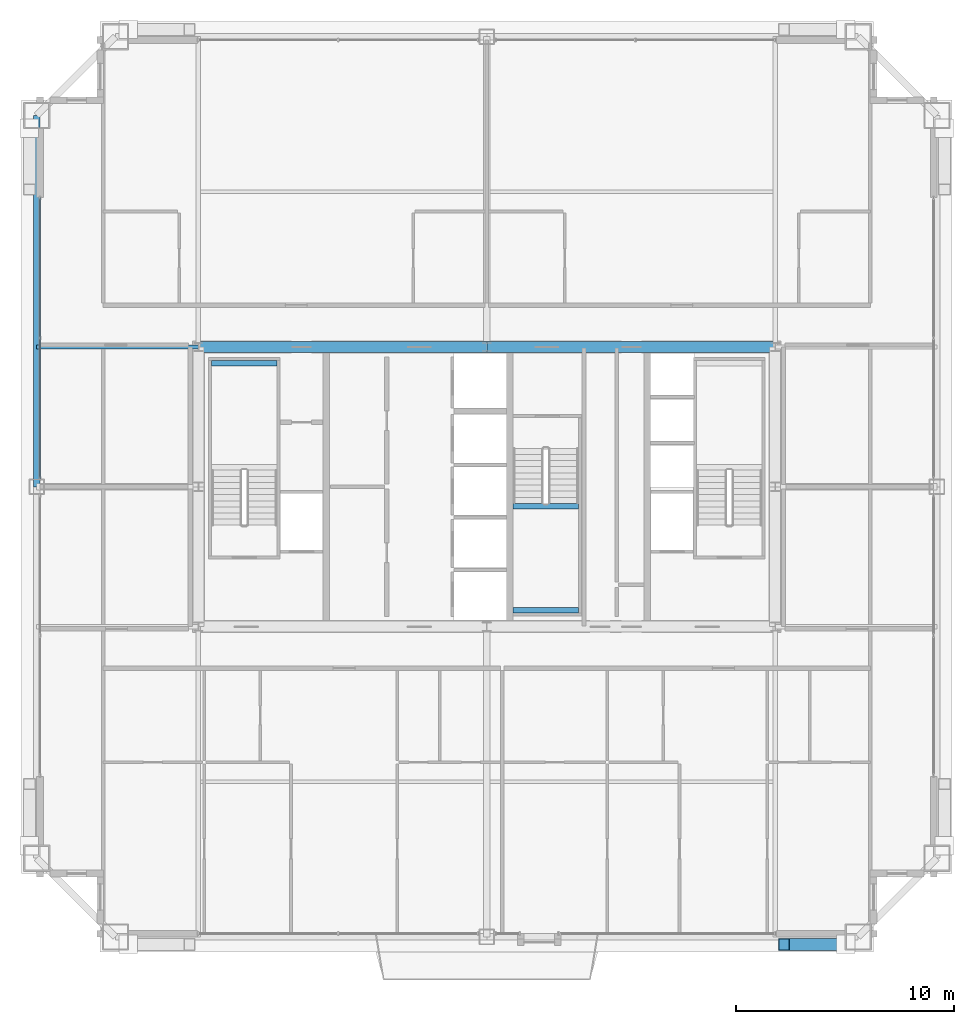
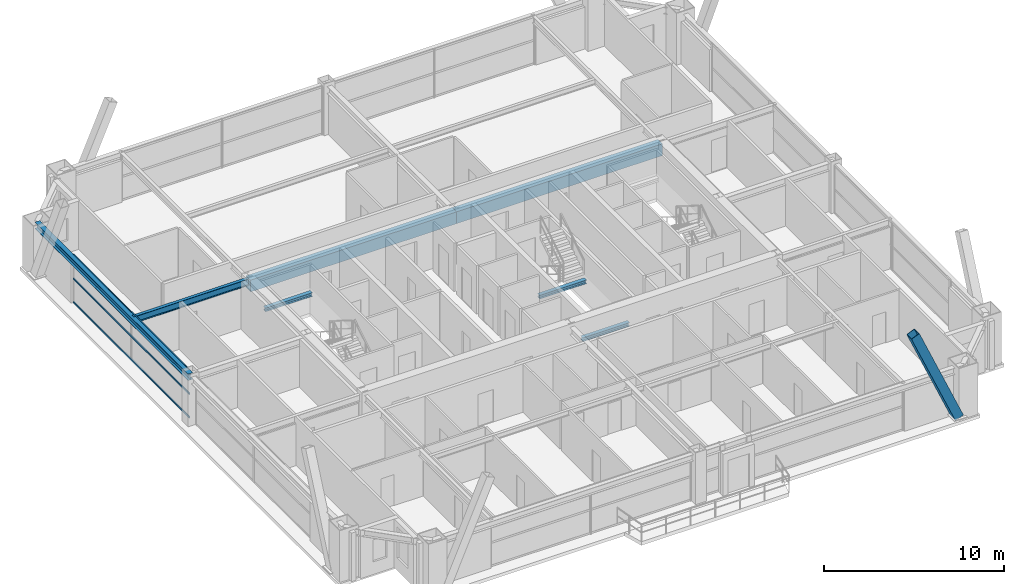
# One storey, part 13 of 35: 7 beams, 4 members, 1 element without a shape of its own.
"""IFC4 building model written with IfcOpenShell, lengths in metres."""

from ifc_helpers import new_model, si_unit, direction, frame, origin, origin_2d, place, context, subcontext, project, spatial, rectangle, hollow_rectangle, i_section, extrude, source, transform, mapped, material, layer, layer_set, material_profile, profile_set, type_object, element, aggregate, save


model = new_model("IFC4")

# Units and contexts
model_context = context("Model", 3, precision=1e-05, world=origin(), true_north=direction((0.0, 1.0)))
body_context = subcontext(model_context, "Body", "Model", "MODEL_VIEW")
ifc_project = project(units=[si_unit("LENGTHUNIT", "METRE"), si_unit("AREAUNIT", "SQUARE_METRE"), si_unit("VOLUMEUNIT", "CUBIC_METRE"), si_unit("PLANEANGLEUNIT", "RADIAN"), si_unit("MASSUNIT", "GRAM", prefix="KILO"), si_unit("THERMODYNAMICTEMPERATUREUNIT", "KELVIN"), si_unit("POWERUNIT", "WATT")], contexts=[model_context])

# Site, building, storey
site_placement = place(None, origin())
site = spatial("IfcSite", under=ifc_project, at=site_placement, CompositionType="ELEMENT")
building_placement = place(site_placement, origin())
building = spatial("IfcBuilding", under=site, at=building_placement, Name="Yuzanri Waterfront Tower", CompositionType="ELEMENT")
storey_placement = place(building_placement, frame((0.0, 0.0, 227.60009765625)))
storey = spatial("IfcBuildingStorey", under=building, at=storey_placement, Name="L60", CompositionType="ELEMENT", Elevation=227.60009765625)

# Beams
ifc_material_1 = material(Name="Concrete C50", Category="concrete")
ifc_material_profile_1 = material_profile(ifc_material_1, rectangle(XDim=0.5, YDim=0.800048828125, at=origin_2d()), Name="RC 500x800")
ifc_profile_set_1 = profile_set([ifc_material_profile_1], Name="Concrete C50")
beam_type_1 = type_object("IfcBeamType", Name="Core Coupling Lintel Concrete C50 500x800", PredefinedType="LINTEL", material=ifc_profile_set_1)
shared_shape_1 = source(origin(), body_context, "Body", "SweptSolid", [
    extrude(rectangle(XDim=0.5, YDim=0.800048828125, at=origin_2d()), origin(), (0.0, 0.0, 1.0), 13.199951171875),
])
for number, where, z_axis, x_axis, name in (
    (1, (23.800048828125, 32.199951171875, 2.8798828125), (1.0, 0.0, 0.0), (0.0, 1.0, 0.0), "L60 Core Tie Beam CN1"),
    (2, (37.0, 32.199951171875, 2.8798828125), (1.0, 0.0, 0.0), (0.0, 1.0, 0.0), "L60 Core Tie Beam CN2"),
):
    element("IfcBeam", number, at=place(storey_placement, frame(where, z_axis=z_axis, x_axis=x_axis)), inside=storey, type_object=beam_type_1, Name=name, PredefinedType="LINTEL", context=body_context, shape_type="MappedRepresentation", body=[
        mapped(shared_shape_1, transform((0.0, 0.0, 0.0), scale=1.0)),
    ])
ifc_material_2 = material(Name="Steel Q355B", Category="steel")
ifc_material_profile_2 = material_profile(ifc_material_2, i_section(OverallWidth=0.300048828125, OverallDepth=0.43994140625, WebThickness=0.010986328125, FlangeThickness=0.01806640625, at=origin_2d()), Name="HM 440x300x11x18")
ifc_profile_set_2 = profile_set([ifc_material_profile_2], Name="Steel Q355B")
beam_type_2 = type_object("IfcBeamType", Name="Perimeter Spandrel Q355B HM 440x300", PredefinedType="SPANDREL", material=ifc_profile_set_2)
shared_shape_2 = source(origin(), body_context, "Body", "SweptSolid", [
    extrude(i_section(OverallWidth=0.300048828125, OverallDepth=0.43994140625, WebThickness=0.010986328125, FlangeThickness=0.01806640625, at=origin_2d()), origin(), (0.0, 0.0, 1.0), 17.0),
])
beam_1_placement = place(storey_placement, frame((16.39990234375, 42.800048828125, 3.059814453125), z_axis=(0.0, -1.0, 0.0), x_axis=(1.0, 0.0, 0.0)))
element("IfcBeam", 3, at=beam_1_placement, inside=storey, type_object=beam_type_2, Name="L60 Perimeter Spandrel W3-W2", PredefinedType="SPANDREL", context=body_context, shape_type="MappedRepresentation", body=[
    mapped(shared_shape_2, transform((0.0, 0.0, 0.0), scale=1.0)),
])
ifc_material_3 = material(Name="Steel Q355B", Category="steel")
ifc_material_profile_3 = material_profile(ifc_material_3, i_section(OverallWidth=0.199951171875, OverallDepth=0.449951171875, WebThickness=0.009033203125, FlangeThickness=0.013916015625, at=origin_2d()), Name="HN 450x200x9x14")
ifc_profile_set_3 = profile_set([ifc_material_profile_3], Name="Steel Q355B")
beam_type_3 = type_object("IfcBeamType", Name="Secondary Floor Beam Q355B HN 450x200", PredefinedType="BEAM", material=ifc_profile_set_3)
shared_shape_3 = source(origin(), body_context, "Body", "SweptSolid", [
    extrude(i_section(OverallWidth=0.199951171875, OverallDepth=0.449951171875, WebThickness=0.009033203125, FlangeThickness=0.013916015625, at=origin_2d()), origin(), (0.0, 0.0, 1.0), 7.400146484375),
])
beam_2_placement = place(storey_placement, frame((23.800048828125, 32.199951171875, 3.054931640625), z_axis=(-1.0, 0.0, 0.0), x_axis=(0.0, -1.0, 0.0)))
element("IfcBeam", 4, at=beam_2_placement, inside=storey, type_object=beam_type_3, Name="L60 West-North Core Line Beam", PredefinedType="BEAM", context=body_context, shape_type="MappedRepresentation", body=[
    mapped(shared_shape_3, transform((0.0, 0.0, 0.0), scale=1.0)),
])

# Member
ifc_material_4 = material(Name="Steel Q390GJC", Category="steel")
ifc_material_profile_4 = material_profile(ifc_material_4, hollow_rectangle(XDim=0.550048828125, YDim=0.550048828125, WallThickness=0.02490234375, at=origin_2d()), Name="RHS 550x550x25")
ifc_profile_set_4 = profile_set([ifc_material_profile_4], Name="Steel Q390GJC")
member_type_1 = type_object("IfcMemberType", Name="Mega Brace Mid Q390GJC RHS 550x550x25", PredefinedType="BRACE", material=ifc_profile_set_4)
shared_shape_4 = source(origin(), body_context, "Body", "SweptSolid", [
    extrude(hollow_rectangle(XDim=0.550048828125, YDim=0.550048828125, WallThickness=0.02490234375, at=origin_2d()), origin(), (0.0, 0.0, 1.0), 7.085205078125),
])
member_1_placement = place(storey_placement, frame((53.419921875, 4.860107421875, 0.179931640625), z_axis=(-0.397982599681, 0.0, 0.917392963975), x_axis=(0.0, -1.0, 0.0)))
element("IfcMember", 5, at=member_1_placement, inside=storey, type_object=member_type_1, Name="L60-L61 Perimeter Mega-Brace S-R", PredefinedType="BRACE", context=body_context, shape_type="MappedRepresentation", body=[
    mapped(shared_shape_4, transform((0.0, 0.0, 0.0), scale=1.0)),
])

# Curtain wall, members
ifc_material_5 = material(Name="Anodized Architectural Bronze", Category="metal")
ifc_layer = layer(ifc_material_5, 0.159912109375)
ifc_layer_set = layer_set([ifc_layer], Name="Anodized Architectural Bronze")
curtain_wall_type = type_object("IfcCurtainWallType", Name="Anodized Bronze Mid-Rise Residential Acoustic Unitized Curtain Wall 7200", PredefinedType="NOTDEFINED", material=ifc_layer_set)
curtain_wall_placement = place(storey_placement, origin())
curtain_wall = element("IfcCurtainWall", 6, at=curtain_wall_placement, inside=storey, type_object=curtain_wall_type, Name="L60 Curtain Wall CW-L60-WR", PredefinedType="NOTDEFINED")
ifc_material_6 = material(Name="Anodized Architectural Bronze", Category="metal")
ifc_material_profile_5 = material_profile(ifc_material_6, hollow_rectangle(XDim=0.06494140625, YDim=0.1201171875, WallThickness=0.00341796875, at=origin_2d()), Name="CWT 65x120")
ifc_profile_set_5 = profile_set([ifc_material_profile_5], Name="Anodized Architectural Bronze")
member_type_2 = type_object("IfcMemberType", Name="Anodized Bronze Secondary Curtain-Wall Transom 65x120", PredefinedType="USERDEFINED", material=ifc_profile_set_5)
shared_shape_5 = source(origin(), body_context, "Body", "SweptSolid", [
    extrude(hollow_rectangle(XDim=0.06494140625, YDim=0.1201171875, WallThickness=0.00341796875, at=origin_2d()), origin(), (0.0, 0.0, 1.0), 12.900146484375),
])
member_2_placement = place(storey_placement, frame((16.550048828125, 26.14990234375, 0.0498046875), z_axis=(0.0, 1.0, 0.0), x_axis=(-1.0, 0.0, 0.0)))
member_2 = element("IfcMember", 7, at=member_2_placement, type_object=member_type_2, Name="CW-L60-WR Transom 1", ObjectType="TRANSOM", PredefinedType="USERDEFINED", context=body_context, shape_type="MappedRepresentation", body=[
    mapped(shared_shape_5, transform((0.0, 0.0, 0.0), scale=1.0)),
])
member_3_placement = place(storey_placement, frame((16.550048828125, 26.14990234375, 1.639892578125), z_axis=(0.0, 1.0, 0.0), x_axis=(-1.0, 0.0, 0.0)))
member_3 = element("IfcMember", 8, at=member_3_placement, type_object=member_type_2, Name="CW-L60-WR Transom 2", ObjectType="TRANSOM", PredefinedType="USERDEFINED", context=body_context, shape_type="MappedRepresentation", body=[
    mapped(shared_shape_5, transform((0.0, 0.0, 0.0), scale=1.0)),
])
member_4_placement = place(storey_placement, frame((16.550048828125, 26.14990234375, 3.22998046875), z_axis=(0.0, 1.0, 0.0), x_axis=(-1.0, 0.0, 0.0)))
member_4 = element("IfcMember", 9, at=member_4_placement, type_object=member_type_2, Name="CW-L60-WR Transom 3", ObjectType="TRANSOM", PredefinedType="USERDEFINED", context=body_context, shape_type="MappedRepresentation", body=[
    mapped(shared_shape_5, transform((0.0, 0.0, 0.0), scale=1.0)),
])
aggregate(curtain_wall, [member_2, member_3, member_4])

# Beams
ifc_material_7 = material(Name="Steel Q355B", Category="steel")
ifc_material_profile_6 = material_profile(ifc_material_7, i_section(OverallWidth=0.25, OverallDepth=0.25, WebThickness=0.009033203125, FlangeThickness=0.013916015625, at=origin_2d()), Name="HW 250x250x9x14")
ifc_profile_set_6 = profile_set([ifc_material_profile_6], Name="Steel Q355B")
beam_type_4 = type_object("IfcBeamType", Name="Stair Landing Support Beam Q355B HW 250x250", PredefinedType="BEAM", material=ifc_profile_set_6)
shared_shape_6 = source(origin(), body_context, "Body", "SweptSolid", [
    extrude(i_section(OverallWidth=0.25, OverallDepth=0.25, WebThickness=0.009033203125, FlangeThickness=0.013916015625, at=origin_2d()), origin(), (0.0, 0.0, 1.0), 3.0),
])
for number, where, z_axis, x_axis, name in (
    (10, (24.39990234375, 31.449951171875, 1.4248046875), (1.0, 0.0, 0.0), (0.0, 1.0, 0.0), "L60 Stair Landing Support Beam ST-01-L60-L1-2"),
    (11, (38.199951171875, 20.14990234375, 1.4248046875), (1.0, 0.0, 0.0), (0.0, 1.0, 0.0), "L60 Stair Landing Support Beam ST-03-L60-L1-1"),
    (12, (38.199951171875, 24.909912109375, 1.4248046875), (1.0, 0.0, 0.0), (0.0, 1.0, 0.0), "L60 Stair Landing Support Beam ST-03-L60-L1-2"),
):
    element("IfcBeam", number, at=place(storey_placement, frame(where, z_axis=z_axis, x_axis=x_axis)), inside=storey, type_object=beam_type_4, Name=name, PredefinedType="BEAM", context=body_context, shape_type="MappedRepresentation", body=[
        mapped(shared_shape_6, transform((0.0, 0.0, 0.0), scale=1.0)),
    ])

save(model, "model.ifc")
